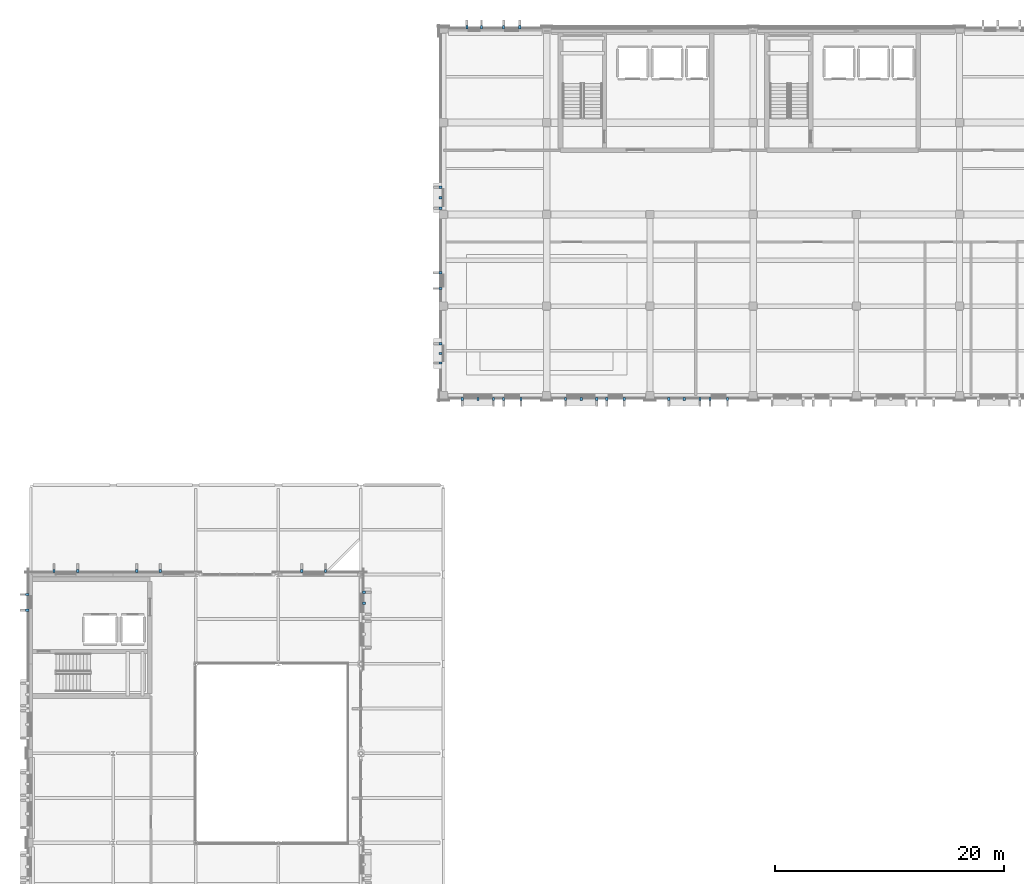
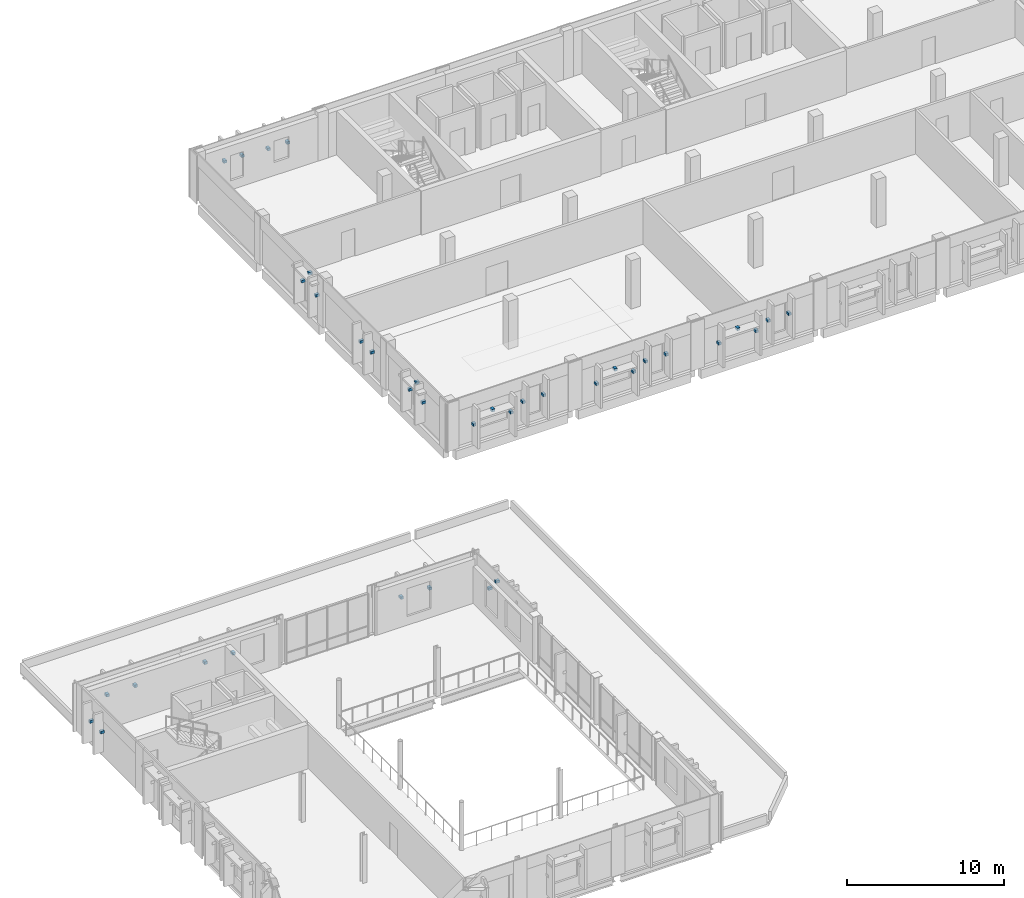
# One storey, part 59 of 73: 37 discrete accessories.
"""IFC4 building model written with IfcOpenShell, lengths in metres."""

from ifc_helpers import new_model, si_unit, direction, frame, origin, origin_2d, place, context, subcontext, project, spatial, rectangle, extrude, material, type_object, element, save


model = new_model("IFC4")

# Units and contexts
model_context = context("Model", 3, precision=1e-05, world=origin(), true_north=direction((0.0, 1.0)))
body_context = subcontext(model_context, "Body", "Model", "MODEL_VIEW")
ifc_project = project(units=[si_unit("LENGTHUNIT", "METRE"), si_unit("AREAUNIT", "SQUARE_METRE"), si_unit("VOLUMEUNIT", "CUBIC_METRE"), si_unit("PLANEANGLEUNIT", "RADIAN"), si_unit("MASSUNIT", "GRAM", prefix="KILO")], contexts=[model_context])

# Site, building, storey
site_placement = place(None, origin())
site = spatial("IfcSite", under=ifc_project, at=site_placement, CompositionType="ELEMENT")
building_placement = place(site_placement, origin())
building = spatial("IfcBuilding", under=site, at=building_placement, Name="Vervanel Yard Central Library", CompositionType="ELEMENT")
storey_placement = place(building_placement, frame((0.0, 0.0, 12.780029296875)))
storey = spatial("IfcBuildingStorey", under=building, at=storey_placement, Name="L03", CompositionType="ELEMENT", Elevation=12.780029296875)

# Discrete accessories
ifc_material = material(Name="Steel ASTM A572 Grade 50", Category="steel")
discrete_accessory_type = type_object("IfcDiscreteAccessoryType", Name="Stainless Solar Fin Fixing Bracket", PredefinedType="BRACKET", material=ifc_material)
for number, where, z_axis, x_axis, name in (
    (1, (38.0400390625, 114.31005859375, 1.9248046875), (0.0, 0.0, 1.0), (1.0, 0.0, 0.0), "L03 Solar Fin Bracket 129"),
    (2, (39.320068359375, 114.31005859375, 1.9248046875), (0.0, 0.0, 1.0), (1.0, 0.0, 0.0), "L03 Solar Fin Bracket 130"),
    (3, (41.239990234375, 114.31005859375, 1.77490234375), (0.0, 0.0, 1.0), (1.0, 0.0, 0.0), "L03 Solar Fin Bracket 131"),
    (4, (42.659912109375, 114.31005859375, 1.77490234375), (0.0, 0.0, 1.0), (1.0, 0.0, 0.0), "L03 Solar Fin Bracket 132"),
    (5, (37.639892578125, 81.909912109375, 1.2998046875), (0.0, 0.0, 1.0), (1.0, 0.0, 0.0), "L03 Solar Fin Bracket 137"),
    (6, (40.360107421875, 81.909912109375, 1.2998046875), (0.0, 0.0, 1.0), (1.0, 0.0, 0.0), "L03 Solar Fin Bracket 138"),
    (7, (39.0, 81.909912109375, 1.9501953125), (0.0, 0.0, 1.0), (1.0, 0.0, 0.0), "L03 Sunhood Bracket 17"),
    (8, (41.239990234375, 81.909912109375, 1.7998046875), (0.0, 0.0, 1.0), (1.0, 0.0, 0.0), "L03 Solar Fin Bracket 139"),
    (9, (42.760009765625, 81.909912109375, 1.7998046875), (0.0, 0.0, 1.0), (1.0, 0.0, 0.0), "L03 Solar Fin Bracket 140"),
    (10, (46.639892578125, 81.909912109375, 1.2998046875), (0.0, 0.0, 1.0), (1.0, 0.0, 0.0), "L03 Solar Fin Bracket 141"),
    (11, (49.360107421875, 81.909912109375, 1.2998046875), (0.0, 0.0, 1.0), (1.0, 0.0, 0.0), "L03 Solar Fin Bracket 142"),
    (12, (48.0, 81.909912109375, 1.9501953125), (0.0, 0.0, 1.0), (1.0, 0.0, 0.0), "L03 Sunhood Bracket 18"),
    (13, (50.239990234375, 81.909912109375, 1.7998046875), (0.0, 0.0, 1.0), (1.0, 0.0, 0.0), "L03 Solar Fin Bracket 143"),
    (14, (51.760009765625, 81.909912109375, 1.7998046875), (0.0, 0.0, 1.0), (1.0, 0.0, 0.0), "L03 Solar Fin Bracket 144"),
    (15, (55.639892578125, 81.909912109375, 1.2998046875), (0.0, 0.0, 1.0), (1.0, 0.0, 0.0), "L03 Solar Fin Bracket 145"),
    (16, (58.360107421875, 81.909912109375, 1.2998046875), (0.0, 0.0, 1.0), (1.0, 0.0, 0.0), "L03 Solar Fin Bracket 146"),
    (17, (57.0, 81.909912109375, 1.9501953125), (0.0, 0.0, 1.0), (1.0, 0.0, 0.0), "L03 Sunhood Bracket 19"),
    (18, (59.239990234375, 81.909912109375, 1.7998046875), (0.0, 0.0, 1.0), (1.0, 0.0, 0.0), "L03 Solar Fin Bracket 147"),
    (19, (60.760009765625, 81.909912109375, 1.7998046875), (0.0, 0.0, 1.0), (1.0, 0.0, 0.0), "L03 Solar Fin Bracket 148"),
    (20, (35.72998046875, 85.0400390625, 1.77490234375), (0.0, 0.0, 1.0), (0.0, 1.0, 0.0), "L03 Solar Fin Bracket 161"),
    (21, (35.72998046875, 86.7099609375, 1.77490234375), (0.0, 0.0, 1.0), (0.0, 1.0, 0.0), "L03 Solar Fin Bracket 162"),
    (22, (35.72998046875, 85.875, 2.7998046875), (0.0, 0.0, 1.0), (0.0, 1.0, 0.0), "L03 Sunhood Bracket 23"),
    (23, (35.72998046875, 91.5400390625, 1.72509765625), (0.0, 0.0, 1.0), (0.0, 1.0, 0.0), "L03 Solar Fin Bracket 163"),
    (24, (35.72998046875, 92.909912109375, 1.72509765625), (0.0, 0.0, 1.0), (0.0, 1.0, 0.0), "L03 Solar Fin Bracket 164"),
    (25, (35.72998046875, 98.5400390625, 1.89990234375), (0.0, 0.0, 1.0), (0.0, 1.0, 0.0), "L03 Solar Fin Bracket 165"),
    (26, (35.72998046875, 100.360107421875, 1.89990234375), (0.0, 0.0, 1.0), (0.0, 1.0, 0.0), "L03 Solar Fin Bracket 166"),
    (27, (35.72998046875, 99.449951171875, 3.0498046875), (0.0, 0.0, 1.0), (0.0, 1.0, 0.0), "L03 Sunhood Bracket 24"),
    (28, (-0.2900390625, 63.489990234375, 1.875), (0.0, 0.0, 1.0), (0.0, 1.0, 0.0), "L03 Solar Fin Bracket 369"),
    (29, (-0.2900390625, 64.860107421875, 1.875), (0.0, 0.0, 1.0), (0.0, 1.0, 0.0), "L03 Solar Fin Bracket 370"),
    (30, (29.070068359375, 65.06005859375, 1.77490234375), (0.0, 0.0, 1.0), (0.0, 1.0, 0.0), "L03 Solar Fin Bracket 380"),
    (31, (29.070068359375, 64.10009765625, 2.89990234375), (0.0, 0.0, 1.0), (0.0, 1.0, 0.0), "L03 Sunhood Bracket 82"),
    (32, (2.0400390625, 66.889892578125, 1.875), (0.0, 0.0, 1.0), (1.0, 0.0, 0.0), "L03 Solar Fin Bracket 381"),
    (33, (4.110107421875, 66.889892578125, 1.875), (0.0, 0.0, 1.0), (1.0, 0.0, 0.0), "L03 Solar Fin Bracket 382"),
    (34, (9.239990234375, 66.889892578125, 1.875), (0.0, 0.0, 1.0), (1.0, 0.0, 0.0), "L03 Solar Fin Bracket 385"),
    (35, (11.31005859375, 66.889892578125, 1.875), (0.0, 0.0, 1.0), (1.0, 0.0, 0.0), "L03 Solar Fin Bracket 386"),
    (36, (23.639892578125, 66.889892578125, 1.875), (0.0, 0.0, 1.0), (1.0, 0.0, 0.0), "L03 Solar Fin Bracket 391"),
    (37, (25.7099609375, 66.889892578125, 1.875), (0.0, 0.0, 1.0), (1.0, 0.0, 0.0), "L03 Solar Fin Bracket 392"),
):
    element("IfcDiscreteAccessory", number, at=place(storey_placement, frame(where, z_axis=z_axis, x_axis=x_axis)), inside=storey, type_object=discrete_accessory_type, Name=name, PredefinedType="BRACKET", context=body_context, shape_type="SweptSolid", body=[
        extrude(rectangle(XDim=0.199951171875, YDim=0.280029296875, at=origin_2d()), origin(), (0.0, 0.0, 1.0), 0.199951171875),
    ])

save(model, "model.ifc")
